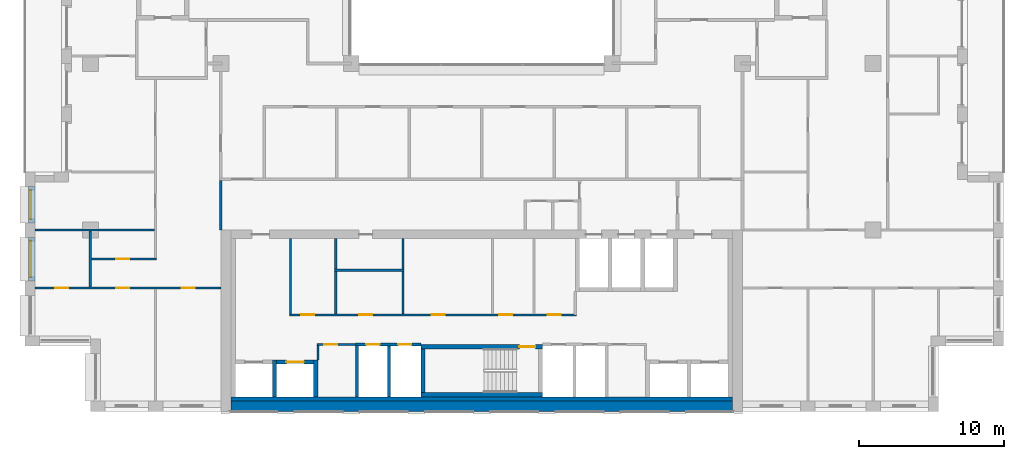
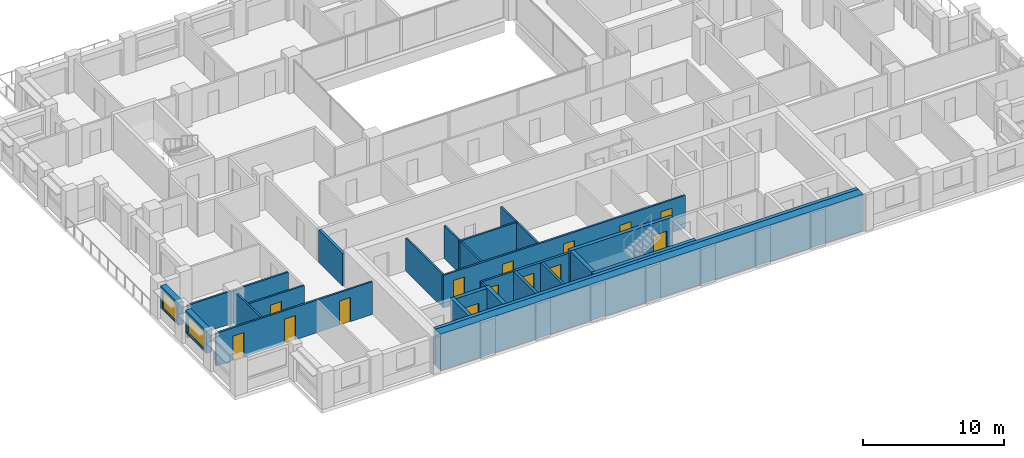
# One storey, part 8 of 16: 27 walls, 14 doors, 2 windows, 16 openings.
"""IFC4 building model written with IfcOpenShell, lengths in metres."""

import ifcopenshell
import ifcopenshell.guid

model = None  # the IFC model being written
_history = None  # IfcOwnerHistory: only IFC2X3 demands one
_inside = {}  # id of a spatial element -> (the spatial element, [elements in it])
_under = {}  # id of a project, library or spatial element -> (it, [spatial elements below it])
_declared = {}  # id of a project -> (the project, [libraries it declares])
_typed = {}  # id of a type object -> (the type object, [elements of that type])
_made_of = {}  # id of a material, layer set ... -> (it, [elements and type objects made of it])


def new_model(schema):
    """Start an empty IFC model of exactly this schema.

    Asked for "IFC4X3", IfcOpenShell would pick the latest addendum, in which some entities
    have other attributes; the version numbers below select the first issue.
    IFC2X3 requires an IfcOwnerHistory on every rooted entity: one is made here for all.
    """
    global model, _history
    if schema == "IFC4X3":
        model = ifcopenshell.file(schema_version=(4, 3, 0, 0))
    else:
        model = ifcopenshell.file(schema=schema)
    _inside.clear()
    _under.clear()
    _declared.clear()
    _typed.clear()
    _made_of.clear()
    _history = None
    if model.schema == "IFC2X3":
        org = make("IfcOrganization", Name="unknown")
        user = make(
            "IfcPersonAndOrganization",
            ThePerson=make("IfcPerson", FamilyName="unknown"),
            TheOrganization=org,
        )
        app = make(
            "IfcApplication",
            ApplicationDeveloper=org,
            Version="unknown",
            ApplicationFullName="unknown",
            ApplicationIdentifier="unknown",
        )
        _history = make(
            "IfcOwnerHistory",
            OwningUser=user,
            OwningApplication=app,
            ChangeAction="ADDED",
            CreationDate=0,
        )
    return model


def make(cls, **values):
    """One entity of the class cls with the attributes given. An attribute that is None is left unset."""
    return model.create_entity(
        cls, **{name: value for name, value in values.items() if value is not None}
    )


def rooted(cls, **values):
    """An entity with a GlobalId (a new one), such as an element, a storey or a relation."""
    return make(cls, GlobalId=ifcopenshell.guid.new(), OwnerHistory=_history, **values)


def si_unit(unit_type, name, prefix=None):
    """IfcSIUnit, for example si_unit("LENGTHUNIT", "METRE", prefix="MILLI")."""
    return make("IfcSIUnit", UnitType=unit_type, Prefix=prefix, Name=name)


def assignment(units):
    """IfcUnitAssignment: the units of a project."""
    return None if units is None else make("IfcUnitAssignment", Units=units)


def point(xyz):
    """IfcCartesianPoint."""
    return None if xyz is None else make("IfcCartesianPoint", Coordinates=xyz)


def direction(xyz):
    """IfcDirection."""
    return None if xyz is None else make("IfcDirection", DirectionRatios=xyz)


def frame(location, z_axis=None, x_axis=None):
    """IfcAxis2Placement3D, a coordinate frame: its origin and axes. An axis left out is left unset."""
    return make(
        "IfcAxis2Placement3D",
        Location=point(location),
        Axis=direction(z_axis),
        RefDirection=direction(x_axis),
    )


def frame_2d(location, x_axis=None):
    """IfcAxis2Placement2D, a coordinate frame in the plane: its origin and x axis."""
    return make(
        "IfcAxis2Placement2D", Location=point(location), RefDirection=direction(x_axis)
    )


def origin():
    """The frame at (0, 0, 0) with its axes left unset."""
    return frame((0.0, 0.0, 0.0))


def place(relative_to, where):
    """IfcLocalPlacement: puts the frame where relative to a parent placement (None: the world)."""
    return make(
        "IfcLocalPlacement", PlacementRelTo=relative_to, RelativePlacement=where
    )


def context(
    kind, dimensions, precision=None, world=None, true_north=None, identifier=None
):
    """IfcGeometricRepresentationContext, for example the 3D "Model" context."""
    return make(
        "IfcGeometricRepresentationContext",
        ContextIdentifier=identifier,
        ContextType=kind,
        CoordinateSpaceDimension=dimensions,
        Precision=precision,
        WorldCoordinateSystem=world,
        TrueNorth=true_north,
    )


def subcontext(parent, identifier, kind, view, scale=None):
    """IfcGeometricRepresentationSubContext, for example "Body" below "Model"."""
    return make(
        "IfcGeometricRepresentationSubContext",
        ContextIdentifier=identifier,
        ContextType=kind,
        ParentContext=parent,
        TargetScale=scale,
        TargetView=view,
    )


def project(units=None, contexts=None):
    """IfcProject with its units and contexts."""
    return rooted(
        "IfcProject",
        Name="project",
        RepresentationContexts=contexts,
        UnitsInContext=assignment(units),
    )


def spatial(cls, under=None, at=None, **own):
    """A site, building, storey or space (cls), placed at a placement, below another one or the project."""
    s = rooted(cls, ObjectPlacement=at, **own)
    if under is not None:
        _under.setdefault(under.id(), (under, []))[1].append(s)
    return s


def profile(cls, at=None, kind="AREA", **sizes):
    """A parametric profile (cls). Its sizes go by their IFC names, for example OverallWidth=200.0."""
    return make(cls, ProfileType=kind, Position=at, **sizes)


def rectangle(**sizes):
    """IfcRectangleProfileDef."""
    return profile("IfcRectangleProfileDef", **sizes)


def extrude(swept, where, along, depth):
    """IfcExtrudedAreaSolid: the profile swept, set in the frame where, extruded along a direction by depth."""
    return make(
        "IfcExtrudedAreaSolid",
        SweptArea=swept,
        Position=where,
        ExtrudedDirection=direction(along),
        Depth=depth,
    )


def shape(context_of_items, identifier, shape_type, items):
    """IfcShapeRepresentation: the items that make up one representation, for example the "Body"."""
    return make(
        "IfcShapeRepresentation",
        ContextOfItems=context_of_items,
        RepresentationIdentifier=identifier,
        RepresentationType=shape_type,
        Items=items,
    )


def material(Name=None, Category=None):
    """IfcMaterial."""
    return make("IfcMaterial", Name=Name, Category=Category)


def layer(
    of_material, thickness, ventilated=None, Name=None, Category=None, Priority=None
):
    """IfcMaterialLayer: one layer of a wall or slab, of a material (None: an air gap)."""
    return make(
        "IfcMaterialLayer",
        Material=of_material,
        LayerThickness=thickness,
        IsVentilated=ventilated,
        Name=Name,
        Category=Category,
        Priority=Priority,
    )


def layer_set(layers, Name=None):
    """IfcMaterialLayerSet."""
    return make("IfcMaterialLayerSet", MaterialLayers=layers, LayerSetName=Name)


def made_of(thing, what):
    """Note that an element or type object is made of a material, layer set ...; save() writes the relation."""
    if what is not None:
        _made_of.setdefault(what.id(), (what, []))[1].append(thing)
    return thing


def type_object(cls, material=None, **own):
    """A type object (cls), such as IfcWallType, which elements share."""
    return made_of(rooted(cls, **own), material)


def element(
    cls,
    number,
    at=None,
    inside=None,
    cuts=None,
    type_object=None,
    material=None,
    context=None,
    identifier="Body",
    shape_type=None,
    held_by="IfcProductDefinitionShape",
    body=None,
    shapes=None,
    **own,
):
    """One element of the class cls, such as IfcWall. Its Tag is "e" and its number.

    at: its placement. inside: the storey or other place that contains it. cuts: it is an
    opening in that element (IfcRelVoidsElement). A single representation is given by context,
    identifier, shape_type and body (its items); several are given by shapes. held_by: the class
    of the entity that holds the representations. save() writes the other relations.
    """
    e = rooted(cls, Tag="e%d" % number, ObjectPlacement=at, **own)
    if body is not None:
        shapes = [shape(context, identifier, shape_type, body)]
    if shapes is not None:
        e.Representation = make(held_by, Representations=shapes)
    if inside is not None:
        _inside.setdefault(inside.id(), (inside, []))[1].append(e)
    if cuts is not None:
        rooted(
            "IfcRelVoidsElement", RelatingBuildingElement=cuts, RelatedOpeningElement=e
        )
    if type_object is not None:
        _typed.setdefault(type_object.id(), (type_object, []))[1].append(e)
    return made_of(e, material)


def fill(opening, filler):
    """IfcRelFillsElement: the door or window that sits in an opening."""
    return rooted(
        "IfcRelFillsElement",
        RelatingOpeningElement=opening,
        RelatedBuildingElement=filler,
    )


def aggregate(whole, parts):
    """IfcRelAggregates: a whole, such as a stair, and the parts it consists of."""
    return rooted("IfcRelAggregates", RelatingObject=whole, RelatedObjects=parts)


def save(model, path):
    """Write the relations noted so far, then the file.

    IfcRelAggregates (storeys below a building ...), IfcRelContainedInSpatialStructure (elements
    in a storey), IfcRelDefinesByType, IfcRelAssociatesMaterial and IfcRelDeclares: one each for
    every whole, place, type object, material and project.
    """
    for whole, parts in _under.values():
        aggregate(whole, parts)
    for where, things in _inside.values():
        rooted(
            "IfcRelContainedInSpatialStructure",
            RelatedElements=things,
            RelatingStructure=where,
        )
    for kind, things in _typed.values():
        rooted("IfcRelDefinesByType", RelatedObjects=things, RelatingType=kind)
    for what, things in _made_of.values():
        rooted("IfcRelAssociatesMaterial", RelatedObjects=things, RelatingMaterial=what)
    for by, libraries in _declared.values():
        rooted("IfcRelDeclares", RelatingContext=by, RelatedDefinitions=libraries)
    model.write(path)


model = new_model("IFC4")

# Units and contexts
model_context = context("Model", 3, precision=1e-05, world=origin(), true_north=direction((0.0, 1.0)))
body_context = subcontext(model_context, "Body", "Model", "MODEL_VIEW")
ifc_project = project(units=[si_unit("LENGTHUNIT", "METRE"), si_unit("AREAUNIT", "SQUARE_METRE"), si_unit("VOLUMEUNIT", "CUBIC_METRE"), si_unit("PLANEANGLEUNIT", "RADIAN"), si_unit("MASSUNIT", "GRAM", prefix="KILO")], contexts=[model_context])

# Site, building, storey
site_placement = place(None, origin())
site = spatial("IfcSite", under=ifc_project, at=site_placement, CompositionType="ELEMENT")
building_placement = place(site_placement, origin())
building = spatial("IfcBuilding", under=site, at=building_placement, Name="Brigalow Station Residences", CompositionType="ELEMENT")
storey_placement = place(building_placement, frame((0.0, 0.0, 169.64990234375)))
storey = spatial("IfcBuildingStorey", under=building, at=storey_placement, Name="L49", CompositionType="ELEMENT", Elevation=169.64990234375)

# Wall, opening, window
ifc_material_1 = material(Name="Clay brick masonry", Category="masonry")
ifc_layer_1 = layer(ifc_material_1, 0.449951171875)
ifc_layer_set_1 = layer_set([ifc_layer_1], Name="BRICK INFILL WALL 450")
wall_type_1 = type_object("IfcWallType", Name="BRICK INFILL WALL 450", PredefinedType="SOLIDWALL", material=ifc_layer_set_1)
wall_1_placement = place(storey_placement, frame((4.97509765625, 15.5, 0.900146484375), z_axis=(0.0, 0.0, 1.0), x_axis=(0.0, -1.0, 0.0)))
wall_1 = element("IfcWall", 1, at=wall_1_placement, inside=storey, type_object=wall_type_1, Name="L49/ewall/W-L49-45", PredefinedType="SOLIDWALL", context=body_context, shape_type="SweptSolid", body=[
    extrude(rectangle(XDim=2.5, YDim=0.449951171875, at=frame_2d((1.25, 0.0))), origin(), (0.0, 0.0, 1.0), 1.929931640625),
])
opening_1_placement = place(wall_1_placement, frame((0.25, 0.0, 0.14990234375)))
opening_1 = element("IfcOpeningElement", 2, at=opening_1_placement, cuts=wall_1, Name="Opening WT-7", PredefinedType="OPENING", context=body_context, shape_type="SweptSolid", body=[
    extrude(rectangle(XDim=2.0, YDim=1.5, at=frame_2d((1.0, 0.75))), frame((0.0, 0.23486328125, 0.0), z_axis=(0.0, -1.0, 0.0), x_axis=(1.0, 0.0, 0.0)), (0.0, 0.0, 1.0), 0.469970703125),
])
ifc_material_2 = material(Name="Anodised aluminium frame with double glazing", Category="aluminium")
window_type_1 = type_object("IfcWindowType", Name="WINDOW 2000x1500", PartitioningType="SINGLE_PANEL", PredefinedType="WINDOW", material=ifc_material_2)
window_1_placement = place(opening_1_placement, origin())
window_1 = element("IfcWindow", 3, at=window_1_placement, inside=storey, type_object=window_type_1, Name="L49/window/W-L49-45", OverallHeight=1.5, OverallWidth=2.0, PartitioningType="SINGLE_PANEL", PredefinedType="WINDOW", context=body_context, shape_type="SweptSolid", body=[
    extrude(rectangle(XDim=2.0, YDim=1.5, at=frame_2d((1.0, 0.75))), frame((0.0, -0.06494140625, 0.0), z_axis=(0.0, -1.0, 0.0), x_axis=(1.0, 0.0, 0.0)), (0.0, 0.0, 1.0), 0.06005859375),
])
fill(opening_1, window_1)

wall_2_placement = place(storey_placement, frame((4.97509765625, 12.0, 0.900146484375), z_axis=(0.0, 0.0, 1.0), x_axis=(0.0, -1.0, 0.0)))
wall_2 = element("IfcWall", 4, at=wall_2_placement, inside=storey, type_object=wall_type_1, Name="L49/ewall/W-L49-46", PredefinedType="SOLIDWALL", context=body_context, shape_type="SweptSolid", body=[
    extrude(rectangle(XDim=3.0, YDim=0.449951171875, at=frame_2d((1.5, 0.0))), origin(), (0.0, 0.0, 1.0), 1.929931640625),
])
opening_2_placement = place(wall_2_placement, frame((0.25, 0.0, 0.14990234375)))
opening_2 = element("IfcOpeningElement", 5, at=opening_2_placement, cuts=wall_2, Name="Opening WT-5", PredefinedType="OPENING", context=body_context, shape_type="SweptSolid", body=[
    extrude(rectangle(XDim=2.5, YDim=1.5, at=frame_2d((1.25, 0.75))), frame((0.0, 0.23486328125, 0.0), z_axis=(0.0, -1.0, 0.0), x_axis=(1.0, 0.0, 0.0)), (0.0, 0.0, 1.0), 0.469970703125),
])
ifc_material_3 = material(Name="Anodised aluminium frame with double glazing", Category="aluminium")
window_type_2 = type_object("IfcWindowType", Name="WINDOW 2500x1500", PartitioningType="SINGLE_PANEL", PredefinedType="WINDOW", material=ifc_material_3)
window_2_placement = place(opening_2_placement, origin())
window_2 = element("IfcWindow", 6, at=window_2_placement, inside=storey, type_object=window_type_2, Name="L49/window/W-L49-46", OverallHeight=1.5, OverallWidth=2.5, PartitioningType="SINGLE_PANEL", PredefinedType="WINDOW", context=body_context, shape_type="SweptSolid", body=[
    extrude(rectangle(XDim=2.5, YDim=1.5, at=frame_2d((1.25, 0.75))), frame((0.0, -0.06494140625, 0.0), z_axis=(0.0, -1.0, 0.0), x_axis=(1.0, 0.0, 0.0)), (0.0, 0.0, 1.0), 0.06005859375),
])
fill(opening_2, window_2)

# Wall
ifc_material_4 = material(Name="Concrete C65", Category="concrete")
ifc_layer_2 = layer(ifc_material_4, 0.300048828125)
ifc_layer_set_2 = layer_set([ifc_layer_2], Name="CORE SHEAR WALL 300 C65")
wall_type_2 = type_object("IfcWallType", Name="CORE SHEAR WALL 300 C65", PredefinedType="SHEAR", material=ifc_layer_set_2)
wall_3_placement = place(storey_placement, frame((18.699951171875, 0.85009765625, 0.0), z_axis=(0.0, 0.0, 1.0), x_axis=(1.0, 0.0, 0.0)))
element("IfcWall", 7, at=wall_3_placement, inside=storey, type_object=wall_type_2, Name="CORE WALL LIN-S L49", PredefinedType="SHEAR", context=body_context, shape_type="SweptSolid", body=[
    extrude(rectangle(XDim=34.60009765625, YDim=0.300048828125, at=frame_2d((17.300048828125, 0.0))), origin(), (0.0, 0.0, 1.0), 3.150146484375),
])

# Wall, opening, door
wall_4_placement = place(storey_placement, frame((21.85009765625, 3.39990234375, 0.0), z_axis=(0.0, 0.0, 1.0), x_axis=(1.0, 0.0, 0.0)))
wall_4 = element("IfcWall", 8, at=wall_4_placement, inside=storey, type_object=wall_type_2, Name="CORE WALL SH-C2-N L49", PredefinedType="SHEAR", context=body_context, shape_type="SweptSolid", body=[
    extrude(rectangle(XDim=2.5498046875, YDim=0.300048828125, at=frame_2d((1.27490234375, 0.0))), origin(), (0.0, 0.0, 1.0), 3.150146484375),
])
opening_3_placement = place(wall_4_placement, frame((0.675048828125, 0.0, 0.0)))
opening_3 = element("IfcOpeningElement", 9, at=opening_3_placement, cuts=wall_4, Name="Opening LD-LB2", PredefinedType="OPENING", context=body_context, shape_type="SweptSolid", body=[
    extrude(rectangle(XDim=1.199951171875, YDim=2.10009765625, at=frame_2d((0.60009765625, 1.050048828125))), frame((0.0, 0.16015625, 0.0), z_axis=(0.0, -1.0, 0.0), x_axis=(1.0, 0.0, 0.0)), (0.0, 0.0, 1.0), 0.320068359375),
])
ifc_material_5 = material(Name="Stainless steel sliding door leaves", Category="steel")
door_type_1 = type_object("IfcDoorType", Name="LIFT LANDING DOOR 1200 x 2100", OperationType="DOUBLE_DOOR_SLIDING", PredefinedType="DOOR", material=ifc_material_5)
door_1_placement = place(opening_3_placement, origin())
door_1 = element("IfcDoor", 10, at=door_1_placement, inside=storey, type_object=door_type_1, Name="LANDING DOOR LB2", OperationType="DOUBLE_DOOR_SLIDING", OverallHeight=2.10009765625, OverallWidth=1.199951171875, PredefinedType="DOOR", context=body_context, shape_type="SweptSolid", body=[
    extrude(rectangle(XDim=1.199951171875, YDim=2.10009765625, at=frame_2d((0.60009765625, 1.050048828125))), frame((0.0, 0.02490234375, 0.0), z_axis=(0.0, -1.0, 0.0), x_axis=(1.0, 0.0, 0.0)), (0.0, 0.0, 1.0), 0.050048828125),
])
fill(opening_3, door_1)

# Walls
for number, where, z_axis, x_axis, name in (
    (11, (21.699951171875, 1.0, 0.0), (0.0, 0.0, 1.0), (0.0, 1.0, 0.0), "CORE WALL SH-C2-W L49"),
    (12, (24.550048828125, 1.0, 0.0), (0.0, 0.0, 1.0), (0.0, 1.0, 0.0), "CORE WALL SH-C2-E L49"),
):
    element("IfcWall", number, at=place(storey_placement, frame(where, z_axis=z_axis, x_axis=x_axis)), inside=storey, type_object=wall_type_2, Name=name, PredefinedType="SHEAR", context=body_context, shape_type="SweptSolid", body=[
        extrude(rectangle(XDim=2.550048828125, YDim=0.300048828125, at=frame_2d((1.27490234375, 0.0))), origin(), (0.0, 0.0, 1.0), 3.150146484375),
    ])
wall_5_placement = place(storey_placement, frame((31.800048828125, 1.14990234375, 0.0), z_axis=(0.0, 0.0, 1.0), x_axis=(1.0, 0.0, 0.0)))
element("IfcWall", 13, at=wall_5_placement, inside=storey, type_object=wall_type_2, Name="CORE WALL ST-S2-S L49", PredefinedType="SHEAR", context=body_context, shape_type="SweptSolid", body=[
    extrude(rectangle(XDim=8.39990234375, YDim=0.300048828125, at=frame_2d((4.199951171875, 0.0))), origin(), (0.0, 0.0, 1.0), 3.150146484375),
])

# Wall, opening, door
wall_6_placement = place(storey_placement, frame((31.800048828125, 4.449951171875, 0.0), z_axis=(0.0, 0.0, 1.0), x_axis=(1.0, 0.0, 0.0)))
wall_6 = element("IfcWall", 14, at=wall_6_placement, inside=storey, type_object=wall_type_2, Name="CORE WALL ST-S2-N L49", PredefinedType="SHEAR", context=body_context, shape_type="SweptSolid", body=[
    extrude(rectangle(XDim=8.39990234375, YDim=0.300048828125, at=frame_2d((4.199951171875, 0.0))), origin(), (0.0, 0.0, 1.0), 3.150146484375),
])
opening_4_placement = place(wall_6_placement, frame((6.800048828125, 0.0, 0.0)))
opening_4 = element("IfcOpeningElement", 15, at=opening_4_placement, cuts=wall_6, Name="Opening D-5001", PredefinedType="OPENING", context=body_context, shape_type="SweptSolid", body=[
    extrude(rectangle(XDim=1.10009765625, YDim=2.10009765625, at=frame_2d((0.550048828125, 1.050048828125))), frame((0.0, 0.16015625, 0.0), z_axis=(0.0, -1.0, 0.0), x_axis=(1.0, 0.0, 0.0)), (0.0, 0.0, 1.0), 0.320068359375),
])
ifc_material_6 = material(Name="Steel fire door leaf in steel frame", Category="steel")
door_type_2 = type_object("IfcDoorType", Name="STAIR DOOR 1100 x 2100 FD60S", OperationType="SINGLE_SWING_LEFT", PredefinedType="DOOR", material=ifc_material_6)
door_2_placement = place(opening_4_placement, frame((1.10009765625, 0.0, 0.0), z_axis=(0.0, 0.0, 1.0), x_axis=(-1.0, 0.0, 0.0)))
door_2 = element("IfcDoor", 16, at=door_2_placement, inside=storey, type_object=door_type_2, Name="D-5001", OperationType="SINGLE_SWING_LEFT", OverallHeight=2.10009765625, OverallWidth=1.10009765625, PredefinedType="DOOR", context=body_context, shape_type="SweptSolid", body=[
    extrude(rectangle(XDim=1.10009765625, YDim=2.10009765625, at=frame_2d((0.550048828125, 1.050048828125))), frame((0.0, 0.02490234375, 0.0), z_axis=(0.0, -1.0, 0.0), x_axis=(1.0, 0.0, 0.0)), (0.0, 0.0, 1.0), 0.050048828125),
])
fill(opening_4, door_2)

# Walls
wall_7_placement = place(storey_placement, frame((31.949951171875, 1.300048828125, 0.0), z_axis=(0.0, 0.0, 1.0), x_axis=(0.0, 1.0, 0.0)))
element("IfcWall", 17, at=wall_7_placement, inside=storey, type_object=wall_type_2, Name="CORE WALL ST-S2-W L49", PredefinedType="SHEAR", context=body_context, shape_type="SweptSolid", body=[
    extrude(rectangle(XDim=3.0, YDim=0.300048828125, at=frame_2d((1.5, 0.0))), origin(), (0.0, 0.0, 1.0), 3.150146484375),
])
ifc_material_7 = material(Name="Concrete C65", Category="concrete")
ifc_layer_3 = layer(ifc_material_7, 0.699951171875)
ifc_layer_set_3 = layer_set([ifc_layer_3], Name="CORE SHEAR WALL 700 C65")
wall_type_3 = type_object("IfcWallType", Name="CORE SHEAR WALL 700 C65", PredefinedType="SHEAR", material=ifc_layer_set_3)
wall_8_placement = place(storey_placement, frame((18.699951171875, 0.35009765625, 0.0), z_axis=(0.0, 0.0, 1.0), x_axis=(1.0, 0.0, 0.0)))
element("IfcWall", 18, at=wall_8_placement, inside=storey, type_object=wall_type_3, Name="CORE WALL OUT-S L49", PredefinedType="SHEAR", context=body_context, shape_type="SweptSolid", body=[
    extrude(rectangle(XDim=34.60009765625, YDim=0.699951171875, at=frame_2d((17.300048828125, 0.0))), origin(), (0.0, 0.0, 1.0), 3.150146484375),
])

# Wall, openings, doors
ifc_material_8 = material(Name="Concrete blockwork", Category="masonry")
ifc_layer_4 = layer(ifc_material_8, 0.199951171875)
ifc_layer_set_4 = layer_set([ifc_layer_4], Name="FIRE RATED CORE PARTITION 200")
wall_type_4 = type_object("IfcWallType", Name="FIRE RATED CORE PARTITION 200", PredefinedType="PARTITIONING", material=ifc_layer_set_4)
wall_9_placement = place(storey_placement, frame((27.300048828125, 4.60009765625, 0.0), z_axis=(0.0, 0.0, 1.0), x_axis=(1.0, 0.0, 0.0)))
wall_9 = element("IfcWall", 19, at=wall_9_placement, inside=storey, type_object=wall_type_4, Name="PW-5017", PredefinedType="PARTITIONING", context=body_context, shape_type="SweptSolid", body=[
    extrude(rectangle(XDim=4.5, YDim=0.199951171875, at=frame_2d((2.25, 0.0))), origin(), (0.0, 0.0, 1.0), 2.830078125),
])
opening_5_placement = place(wall_9_placement, frame((0.75, 0.0, 0.0)))
opening_5 = element("IfcOpeningElement", 20, at=opening_5_placement, cuts=wall_9, Name="Opening D-5007", PredefinedType="OPENING", context=body_context, shape_type="SweptSolid", body=[
    extrude(rectangle(XDim=0.89990234375, YDim=2.10009765625, at=frame_2d((0.449951171875, 1.050048828125))), frame((0.0, 0.10986328125, 0.0), z_axis=(0.0, -1.0, 0.0), x_axis=(1.0, 0.0, 0.0)), (0.0, 0.0, 1.0), 0.219970703125),
])
opening_6_placement = place(wall_9_placement, frame((2.949951171875, 0.0, 0.0)))
opening_6 = element("IfcOpeningElement", 21, at=opening_6_placement, cuts=wall_9, Name="Opening D-5008", PredefinedType="OPENING", context=body_context, shape_type="SweptSolid", body=[
    extrude(rectangle(XDim=0.89990234375, YDim=2.10009765625, at=frame_2d((0.449951171875, 1.050048828125))), frame((0.0, 0.10986328125, 0.0), z_axis=(0.0, -1.0, 0.0), x_axis=(1.0, 0.0, 0.0)), (0.0, 0.0, 1.0), 0.219970703125),
])
ifc_material_9 = material(Name="Steel fire door leaf in steel frame", Category="steel")
door_type_3 = type_object("IfcDoorType", Name="RISER ACCESS DOOR 900 x 2100 FD120", OperationType="SINGLE_SWING_LEFT", PredefinedType="DOOR", material=ifc_material_9)
door_3_placement = place(opening_5_placement, frame((0.89990234375, 0.0, 0.0), z_axis=(0.0, 0.0, 1.0), x_axis=(-1.0, 0.0, 0.0)))
door_3 = element("IfcDoor", 22, at=door_3_placement, inside=storey, type_object=door_type_3, Name="D-5007", OperationType="SINGLE_SWING_RIGHT", OverallHeight=2.10009765625, OverallWidth=0.89990234375, PredefinedType="DOOR", context=body_context, shape_type="SweptSolid", body=[
    extrude(rectangle(XDim=0.89990234375, YDim=2.10009765625, at=frame_2d((0.449951171875, 1.050048828125))), frame((0.0, 0.02490234375, 0.0), z_axis=(0.0, -1.0, 0.0), x_axis=(1.0, 0.0, 0.0)), (0.0, 0.0, 1.0), 0.050048828125),
])
fill(opening_5, door_3)
door_4_placement = place(opening_6_placement, frame((0.89990234375, 0.0, 0.0), z_axis=(0.0, 0.0, 1.0), x_axis=(-1.0, 0.0, 0.0)))
door_4 = element("IfcDoor", 23, at=door_4_placement, inside=storey, type_object=door_type_3, Name="D-5008", OperationType="SINGLE_SWING_RIGHT", OverallHeight=2.10009765625, OverallWidth=0.89990234375, PredefinedType="DOOR", context=body_context, shape_type="SweptSolid", body=[
    extrude(rectangle(XDim=0.89990234375, YDim=2.10009765625, at=frame_2d((0.449951171875, 1.050048828125))), frame((0.0, 0.02490234375, 0.0), z_axis=(0.0, -1.0, 0.0), x_axis=(1.0, 0.0, 0.0)), (0.0, 0.0, 1.0), 0.050048828125),
])
fill(opening_6, door_4)

# Walls
wall_10_placement = place(storey_placement, frame((27.39990234375, 1.0, 0.0), z_axis=(0.0, 0.0, 1.0), x_axis=(0.0, 1.0, 0.0)))
element("IfcWall", 24, at=wall_10_placement, inside=storey, type_object=wall_type_4, Name="PW-5027", PredefinedType="PARTITIONING", context=body_context, shape_type="SweptSolid", body=[
    extrude(rectangle(XDim=3.52490234375, YDim=0.199951171875, at=frame_2d((1.762451171875, 0.0))), origin(), (0.0, 0.0, 1.0), 2.830078125),
])
wall_11_placement = place(storey_placement, frame((29.60009765625, 1.0, 0.0), z_axis=(0.0, 0.0, 1.0), x_axis=(0.0, 1.0, 0.0)))
element("IfcWall", 25, at=wall_11_placement, inside=storey, type_object=wall_type_4, Name="PW-5006", PredefinedType="PARTITIONING", context=body_context, shape_type="SweptSolid", body=[
    extrude(rectangle(XDim=3.5, YDim=0.199951171875, at=frame_2d((1.75, 0.0))), origin(), (0.0, 0.0, 1.0), 2.830078125),
])
wall_12_placement = place(storey_placement, frame((18.0, 12.5, 0.0), z_axis=(0.0, 0.0, 1.0), x_axis=(0.0, 1.0, 0.0)))
element("IfcWall", 26, at=wall_12_placement, inside=storey, type_object=wall_type_4, Name="PW-5013", PredefinedType="PARTITIONING", context=body_context, shape_type="SweptSolid", body=[
    extrude(rectangle(XDim=3.39990234375, YDim=0.199951171875, at=frame_2d((1.699951171875, 0.0))), origin(), (0.0, 0.0, 1.0), 2.830078125),
])

# Wall, openings, doors
ifc_material_10 = material(Name="Plasterboard on steel stud partition", Category="steel")
ifc_layer_5 = layer(ifc_material_10, 0.14990234375)
ifc_layer_set_5 = layer_set([ifc_layer_5], Name="FLAT PARTITION 150")
wall_type_5 = type_object("IfcWallType", Name="FLAT PARTITION 150", PredefinedType="PARTITIONING", material=ifc_layer_set_5)
wall_13_placement = place(storey_placement, frame((5.199951171875, 8.5, 0.0), z_axis=(0.0, 0.0, 1.0), x_axis=(1.0, 0.0, 0.0)))
wall_13 = element("IfcWall", 27, at=wall_13_placement, inside=storey, type_object=wall_type_5, Name="PW-3D08", PredefinedType="PARTITIONING", context=body_context, shape_type="SweptSolid", body=[
    extrude(rectangle(XDim=12.800048828125, YDim=0.14990234375, at=frame_2d((6.39990234375, 0.0))), origin(), (0.0, 0.0, 1.0), 2.830078125),
])
opening_7_placement = place(wall_13_placement, frame((10.10009765625, 0.0, 0.0)))
opening_7 = element("IfcOpeningElement", 28, at=opening_7_placement, cuts=wall_13, Name="Opening D-3D04", PredefinedType="OPENING", context=body_context, shape_type="SweptSolid", body=[
    extrude(rectangle(XDim=0.89990234375, YDim=2.10009765625, at=frame_2d((0.449951171875, 1.050048828125))), frame((0.0, 0.0849609375, 0.0), z_axis=(0.0, -1.0, 0.0), x_axis=(1.0, 0.0, 0.0)), (0.0, 0.0, 1.0), 0.169921875),
])
opening_8_placement = place(wall_13_placement, frame((5.60009765625, 0.0, 0.0)))
opening_8 = element("IfcOpeningElement", 29, at=opening_8_placement, cuts=wall_13, Name="Opening D-3D05", PredefinedType="OPENING", context=body_context, shape_type="SweptSolid", body=[
    extrude(rectangle(XDim=0.89990234375, YDim=2.10009765625, at=frame_2d((0.449951171875, 1.050048828125))), frame((0.0, 0.0849609375, 0.0), z_axis=(0.0, -1.0, 0.0), x_axis=(1.0, 0.0, 0.0)), (0.0, 0.0, 1.0), 0.169921875),
])
opening_9_placement = place(wall_13_placement, frame((1.375, 0.0, 0.0)))
opening_9 = element("IfcOpeningElement", 30, at=opening_9_placement, cuts=wall_13, Name="Opening D-3D06", PredefinedType="OPENING", context=body_context, shape_type="SweptSolid", body=[
    extrude(rectangle(XDim=0.89990234375, YDim=2.10009765625, at=frame_2d((0.449951171875, 1.050048828125))), frame((0.0, 0.0849609375, 0.0), z_axis=(0.0, -1.0, 0.0), x_axis=(1.0, 0.0, 0.0)), (0.0, 0.0, 1.0), 0.169921875),
])
ifc_material_11 = material(Name="Solid-core timber door leaf", Category="wood")
door_type_4 = type_object("IfcDoorType", Name="INTERNAL DOOR 900 x 2100", OperationType="SINGLE_SWING_LEFT", PredefinedType="DOOR", material=ifc_material_11)
door_5_placement = place(opening_7_placement, frame((0.89990234375, 0.0, 0.0), z_axis=(0.0, 0.0, 1.0), x_axis=(-1.0, 0.0, 0.0)))
door_5 = element("IfcDoor", 31, at=door_5_placement, inside=storey, type_object=door_type_4, Name="D-3D04", OperationType="SINGLE_SWING_RIGHT", OverallHeight=2.10009765625, OverallWidth=0.89990234375, PredefinedType="DOOR", context=body_context, shape_type="SweptSolid", body=[
    extrude(rectangle(XDim=0.89990234375, YDim=2.10009765625, at=frame_2d((0.449951171875, 1.050048828125))), frame((0.0, 0.02490234375, 0.0), z_axis=(0.0, -1.0, 0.0), x_axis=(1.0, 0.0, 0.0)), (0.0, 0.0, 1.0), 0.050048828125),
])
fill(opening_7, door_5)
door_6_placement = place(opening_8_placement, frame((0.89990234375, 0.0, 0.0), z_axis=(0.0, 0.0, 1.0), x_axis=(-1.0, 0.0, 0.0)))
door_6 = element("IfcDoor", 32, at=door_6_placement, inside=storey, type_object=door_type_4, Name="D-3D05", OperationType="SINGLE_SWING_LEFT", OverallHeight=2.10009765625, OverallWidth=0.89990234375, PredefinedType="DOOR", context=body_context, shape_type="SweptSolid", body=[
    extrude(rectangle(XDim=0.89990234375, YDim=2.10009765625, at=frame_2d((0.449951171875, 1.050048828125))), frame((0.0, 0.02490234375, 0.0), z_axis=(0.0, -1.0, 0.0), x_axis=(1.0, 0.0, 0.0)), (0.0, 0.0, 1.0), 0.050048828125),
])
fill(opening_8, door_6)
door_7_placement = place(opening_9_placement, origin())
door_7 = element("IfcDoor", 33, at=door_7_placement, inside=storey, type_object=door_type_4, Name="D-3D06", OperationType="SINGLE_SWING_LEFT", OverallHeight=2.10009765625, OverallWidth=0.89990234375, PredefinedType="DOOR", context=body_context, shape_type="SweptSolid", body=[
    extrude(rectangle(XDim=0.89990234375, YDim=2.10009765625, at=frame_2d((0.449951171875, 1.050048828125))), frame((0.0, 0.02490234375, 0.0), z_axis=(0.0, -1.0, 0.0), x_axis=(1.0, 0.0, 0.0)), (0.0, 0.0, 1.0), 0.050048828125),
])
fill(opening_9, door_7)

# Wall
wall_14_placement = place(storey_placement, frame((5.199951171875, 12.5, 0.0), z_axis=(0.0, 0.0, 1.0), x_axis=(1.0, 0.0, 0.0)))
element("IfcWall", 34, at=wall_14_placement, inside=storey, type_object=wall_type_5, Name="PW-3D10", PredefinedType="PARTITIONING", context=body_context, shape_type="SweptSolid", body=[
    extrude(rectangle(XDim=8.22509765625, YDim=0.14990234375, at=frame_2d((4.112548828125, 0.0))), origin(), (0.0, 0.0, 1.0), 2.830078125),
])

# Wall, opening, door
wall_15_placement = place(storey_placement, frame((9.074951171875, 10.5, 0.0), z_axis=(0.0, 0.0, 1.0), x_axis=(1.0, 0.0, 0.0)))
wall_15 = element("IfcWall", 35, at=wall_15_placement, inside=storey, type_object=wall_type_5, Name="PW-3D12", PredefinedType="PARTITIONING", context=body_context, shape_type="SweptSolid", body=[
    extrude(rectangle(XDim=4.5, YDim=0.14990234375, at=frame_2d((2.25, 0.0))), origin(), (0.0, 0.0, 1.0), 2.830078125),
])
opening_10_placement = place(wall_15_placement, frame((1.72509765625, 0.0, 0.0)))
opening_10 = element("IfcOpeningElement", 36, at=opening_10_placement, cuts=wall_15, Name="Opening D-3D07", PredefinedType="OPENING", context=body_context, shape_type="SweptSolid", body=[
    extrude(rectangle(XDim=0.89990234375, YDim=2.10009765625, at=frame_2d((0.449951171875, 1.050048828125))), frame((0.0, 0.0849609375, 0.0), z_axis=(0.0, -1.0, 0.0), x_axis=(1.0, 0.0, 0.0)), (0.0, 0.0, 1.0), 0.169921875),
])
door_8_placement = place(opening_10_placement, origin())
door_8 = element("IfcDoor", 37, at=door_8_placement, inside=storey, type_object=door_type_4, Name="D-3D07", OperationType="SINGLE_SWING_LEFT", OverallHeight=2.10009765625, OverallWidth=0.89990234375, PredefinedType="DOOR", context=body_context, shape_type="SweptSolid", body=[
    extrude(rectangle(XDim=0.89990234375, YDim=2.10009765625, at=frame_2d((0.449951171875, 1.050048828125))), frame((0.0, 0.02490234375, 0.0), z_axis=(0.0, -1.0, 0.0), x_axis=(1.0, 0.0, 0.0)), (0.0, 0.0, 1.0), 0.050048828125),
])
fill(opening_10, door_8)

# Wall
wall_16_placement = place(storey_placement, frame((9.0, 8.574951171875, 0.0), z_axis=(0.0, 0.0, 1.0), x_axis=(0.0, 1.0, 0.0)))
element("IfcWall", 38, at=wall_16_placement, inside=storey, type_object=wall_type_5, Name="PW-3D38", PredefinedType="PARTITIONING", context=body_context, shape_type="SweptSolid", body=[
    extrude(rectangle(XDim=3.85009765625, YDim=0.14990234375, at=frame_2d((1.925048828125, 0.0))), origin(), (0.0, 0.0, 1.0), 2.830078125),
])

# Wall, opening, door
ifc_material_12 = material(Name="Plasterboard on steel studs", Category="steel")
ifc_layer_6 = layer(ifc_material_12, 0.14990234375)
ifc_layer_set_6 = layer_set([ifc_layer_6], Name="SERVICE ROOM PARTITION 150")
wall_type_6 = type_object("IfcWallType", Name="SERVICE ROOM PARTITION 150", PredefinedType="PARTITIONING", material=ifc_layer_set_6)
wall_17_placement = place(storey_placement, frame((24.625, 4.60009765625, 0.0), z_axis=(0.0, 0.0, 1.0), x_axis=(1.0, 0.0, 0.0)))
wall_17 = element("IfcWall", 39, at=wall_17_placement, inside=storey, type_object=wall_type_6, Name="PW-5155", PredefinedType="PARTITIONING", context=body_context, shape_type="SweptSolid", body=[
    extrude(rectangle(XDim=2.675048828125, YDim=0.14990234375, at=frame_2d((1.33740234375, 0.0))), origin(), (0.0, 0.0, 1.0), 2.830078125),
])
opening_11_placement = place(wall_17_placement, frame((0.52490234375, 0.0, 0.0)))
opening_11 = element("IfcOpeningElement", 40, at=opening_11_placement, cuts=wall_17, Name="Opening D-5087", PredefinedType="OPENING", context=body_context, shape_type="SweptSolid", body=[
    extrude(rectangle(XDim=0.89990234375, YDim=2.10009765625, at=frame_2d((0.449951171875, 1.050048828125))), frame((0.0, 0.0849609375, 0.0), z_axis=(0.0, -1.0, 0.0), x_axis=(1.0, 0.0, 0.0)), (0.0, 0.0, 1.0), 0.169921875),
])
ifc_material_13 = material(Name="Steel door leaf in steel frame", Category="steel")
door_type_5 = type_object("IfcDoorType", Name="SERVICE ROOM DOOR 900 x 2100 FD60", OperationType="SINGLE_SWING_LEFT", PredefinedType="DOOR", material=ifc_material_13)
door_9_placement = place(opening_11_placement, frame((0.89990234375, 0.0, 0.0), z_axis=(0.0, 0.0, 1.0), x_axis=(-1.0, 0.0, 0.0)))
door_9 = element("IfcDoor", 41, at=door_9_placement, inside=storey, type_object=door_type_5, Name="D-5087", OperationType="SINGLE_SWING_RIGHT", OverallHeight=2.10009765625, OverallWidth=0.89990234375, PredefinedType="DOOR", context=body_context, shape_type="SweptSolid", body=[
    extrude(rectangle(XDim=0.89990234375, YDim=2.10009765625, at=frame_2d((0.449951171875, 1.050048828125))), frame((0.0, 0.02490234375, 0.0), z_axis=(0.0, -1.0, 0.0), x_axis=(1.0, 0.0, 0.0)), (0.0, 0.0, 1.0), 0.050048828125),
])
fill(opening_11, door_9)

# Wall, openings, doors
wall_18_placement = place(storey_placement, frame((22.72509765625, 6.64990234375, 0.0), z_axis=(0.0, 0.0, 1.0), x_axis=(1.0, 0.0, 0.0)))
wall_18 = element("IfcWall", 42, at=wall_18_placement, inside=storey, type_object=wall_type_6, Name="PW-5195", PredefinedType="PARTITIONING", context=body_context, shape_type="SweptSolid", body=[
    extrude(rectangle(XDim=19.7998046875, YDim=0.14990234375, at=frame_2d((9.89990234375, 0.0))), origin(), (0.0, 0.0, 1.0), 2.830078125),
])
opening_12_placement = place(wall_18_placement, frame((0.824951171875, 0.0, 0.0)))
opening_12 = element("IfcOpeningElement", 43, at=opening_12_placement, cuts=wall_18, Name="Opening D-5110", PredefinedType="OPENING", context=body_context, shape_type="SweptSolid", body=[
    extrude(rectangle(XDim=0.89990234375, YDim=2.10009765625, at=frame_2d((0.449951171875, 1.050048828125))), frame((0.0, 0.0849609375, 0.0), z_axis=(0.0, -1.0, 0.0), x_axis=(1.0, 0.0, 0.0)), (0.0, 0.0, 1.0), 0.169921875),
])
opening_13_placement = place(wall_18_placement, frame((4.824951171875, 0.0, 0.0)))
opening_13 = element("IfcOpeningElement", 44, at=opening_13_placement, cuts=wall_18, Name="Opening D-5116", PredefinedType="OPENING", context=body_context, shape_type="SweptSolid", body=[
    extrude(rectangle(XDim=0.89990234375, YDim=2.10009765625, at=frame_2d((0.449951171875, 1.050048828125))), frame((0.0, 0.0849609375, 0.0), z_axis=(0.0, -1.0, 0.0), x_axis=(1.0, 0.0, 0.0)), (0.0, 0.0, 1.0), 0.169921875),
])
opening_14_placement = place(wall_18_placement, frame((9.824951171875, 0.0, 0.0)))
opening_14 = element("IfcOpeningElement", 45, at=opening_14_placement, cuts=wall_18, Name="Opening D-5117", PredefinedType="OPENING", context=body_context, shape_type="SweptSolid", body=[
    extrude(rectangle(XDim=0.89990234375, YDim=2.10009765625, at=frame_2d((0.449951171875, 1.050048828125))), frame((0.0, 0.0849609375, 0.0), z_axis=(0.0, -1.0, 0.0), x_axis=(1.0, 0.0, 0.0)), (0.0, 0.0, 1.0), 0.169921875),
])
opening_15_placement = place(wall_18_placement, frame((14.47509765625, 0.0, 0.0)))
opening_15 = element("IfcOpeningElement", 46, at=opening_15_placement, cuts=wall_18, Name="Opening D-5114", PredefinedType="OPENING", context=body_context, shape_type="SweptSolid", body=[
    extrude(rectangle(XDim=0.89990234375, YDim=2.10009765625, at=frame_2d((0.449951171875, 1.050048828125))), frame((0.0, 0.0849609375, 0.0), z_axis=(0.0, -1.0, 0.0), x_axis=(1.0, 0.0, 0.0)), (0.0, 0.0, 1.0), 0.169921875),
])
opening_16_placement = place(wall_18_placement, frame((17.824951171875, 0.0, 0.0)))
opening_16 = element("IfcOpeningElement", 47, at=opening_16_placement, cuts=wall_18, Name="Opening D-5115", PredefinedType="OPENING", context=body_context, shape_type="SweptSolid", body=[
    extrude(rectangle(XDim=0.89990234375, YDim=2.10009765625, at=frame_2d((0.449951171875, 1.050048828125))), frame((0.0, 0.0849609375, 0.0), z_axis=(0.0, -1.0, 0.0), x_axis=(1.0, 0.0, 0.0)), (0.0, 0.0, 1.0), 0.169921875),
])
door_10_placement = place(opening_12_placement, origin())
door_10 = element("IfcDoor", 48, at=door_10_placement, inside=storey, type_object=door_type_5, Name="D-5110", OperationType="SINGLE_SWING_LEFT", OverallHeight=2.10009765625, OverallWidth=0.89990234375, PredefinedType="DOOR", context=body_context, shape_type="SweptSolid", body=[
    extrude(rectangle(XDim=0.89990234375, YDim=2.10009765625, at=frame_2d((0.449951171875, 1.050048828125))), frame((0.0, 0.02490234375, 0.0), z_axis=(0.0, -1.0, 0.0), x_axis=(1.0, 0.0, 0.0)), (0.0, 0.0, 1.0), 0.050048828125),
])
fill(opening_12, door_10)
door_11_placement = place(opening_13_placement, origin())
door_11 = element("IfcDoor", 49, at=door_11_placement, inside=storey, type_object=door_type_5, Name="D-5116", OperationType="SINGLE_SWING_LEFT", OverallHeight=2.10009765625, OverallWidth=0.89990234375, PredefinedType="DOOR", context=body_context, shape_type="SweptSolid", body=[
    extrude(rectangle(XDim=0.89990234375, YDim=2.10009765625, at=frame_2d((0.449951171875, 1.050048828125))), frame((0.0, 0.02490234375, 0.0), z_axis=(0.0, -1.0, 0.0), x_axis=(1.0, 0.0, 0.0)), (0.0, 0.0, 1.0), 0.050048828125),
])
fill(opening_13, door_11)
door_12_placement = place(opening_14_placement, origin())
door_12 = element("IfcDoor", 50, at=door_12_placement, inside=storey, type_object=door_type_5, Name="D-5117", OperationType="SINGLE_SWING_LEFT", OverallHeight=2.10009765625, OverallWidth=0.89990234375, PredefinedType="DOOR", context=body_context, shape_type="SweptSolid", body=[
    extrude(rectangle(XDim=0.89990234375, YDim=2.10009765625, at=frame_2d((0.449951171875, 1.050048828125))), frame((0.0, 0.02490234375, 0.0), z_axis=(0.0, -1.0, 0.0), x_axis=(1.0, 0.0, 0.0)), (0.0, 0.0, 1.0), 0.050048828125),
])
fill(opening_14, door_12)
door_13_placement = place(opening_15_placement, origin())
door_13 = element("IfcDoor", 51, at=door_13_placement, inside=storey, type_object=door_type_5, Name="D-5114", OperationType="SINGLE_SWING_LEFT", OverallHeight=2.10009765625, OverallWidth=0.89990234375, PredefinedType="DOOR", context=body_context, shape_type="SweptSolid", body=[
    extrude(rectangle(XDim=0.89990234375, YDim=2.10009765625, at=frame_2d((0.449951171875, 1.050048828125))), frame((0.0, 0.02490234375, 0.0), z_axis=(0.0, -1.0, 0.0), x_axis=(1.0, 0.0, 0.0)), (0.0, 0.0, 1.0), 0.050048828125),
])
fill(opening_15, door_13)
door_14_placement = place(opening_16_placement, origin())
door_14 = element("IfcDoor", 52, at=door_14_placement, inside=storey, type_object=door_type_5, Name="D-5115", OperationType="SINGLE_SWING_LEFT", OverallHeight=2.10009765625, OverallWidth=0.89990234375, PredefinedType="DOOR", context=body_context, shape_type="SweptSolid", body=[
    extrude(rectangle(XDim=0.89990234375, YDim=2.10009765625, at=frame_2d((0.449951171875, 1.050048828125))), frame((0.0, 0.02490234375, 0.0), z_axis=(0.0, -1.0, 0.0), x_axis=(1.0, 0.0, 0.0)), (0.0, 0.0, 1.0), 0.050048828125),
])
fill(opening_16, door_14)

# Walls
wall_19_placement = place(storey_placement, frame((25.85498046875, 9.72998046875, 0.0), z_axis=(0.0, 0.0, 1.0), x_axis=(1.0, 0.0, 0.0)))
element("IfcWall", 53, at=wall_19_placement, inside=storey, type_object=wall_type_6, Name="PW-5224", PredefinedType="PARTITIONING", context=body_context, shape_type="SweptSolid", body=[
    extrude(rectangle(XDim=4.7900390625, YDim=0.14990234375, at=frame_2d((2.39501953125, 0.0))), origin(), (0.0, 0.0, 1.0), 2.830078125),
])
wall_20_placement = place(storey_placement, frame((24.699951171875, 3.550048828125, 0.0), z_axis=(0.0, 0.0, 1.0), x_axis=(0.0, 1.0, 0.0)))
element("IfcWall", 54, at=wall_20_placement, inside=storey, type_object=wall_type_6, Name="PW-5157", PredefinedType="PARTITIONING", context=body_context, shape_type="SweptSolid", body=[
    extrude(rectangle(XDim=0.974853515625, YDim=0.14990234375, at=frame_2d((0.4873046875, 0.0))), origin(), (0.0, 0.0, 1.0), 2.830078125),
])
wall_21_placement = place(storey_placement, frame((22.800048828125, 6.72509765625, 0.0), z_axis=(0.0, 0.0, 1.0), x_axis=(0.0, 1.0, 0.0)))
element("IfcWall", 55, at=wall_21_placement, inside=storey, type_object=wall_type_6, Name="PW-5197", PredefinedType="PARTITIONING", context=body_context, shape_type="SweptSolid", body=[
    extrude(rectangle(XDim=5.1748046875, YDim=0.14990234375, at=frame_2d((2.58740234375, 0.0))), origin(), (0.0, 0.0, 1.0), 2.830078125),
])
for number, where, z_axis, x_axis, name in (
    (56, (25.929931640625, 6.72509765625, 0.0), (0.0, 0.0, 1.0), (0.0, 1.0, 0.0), "PW-5225"),
    (57, (30.570068359375, 6.72509765625, 0.0), (0.0, 0.0, 1.0), (0.0, 1.0, 0.0), "PW-5226"),
):
    element("IfcWall", number, at=place(storey_placement, frame(where, z_axis=z_axis, x_axis=x_axis)), inside=storey, type_object=wall_type_6, Name=name, PredefinedType="PARTITIONING", context=body_context, shape_type="SweptSolid", body=[
        extrude(rectangle(XDim=2.929931640625, YDim=0.14990234375, at=frame_2d((1.46484375, 0.0))), origin(), (0.0, 0.0, 1.0), 2.830078125),
    ])
for number, where, z_axis, x_axis, name in (
    (58, (25.929931640625, 9.804931640625, 0.0), (0.0, 0.0, 1.0), (0.0, 1.0, 0.0), "PW-5228"),
    (59, (30.570068359375, 9.804931640625, 0.0), (0.0, 0.0, 1.0), (0.0, 1.0, 0.0), "PW-5229"),
):
    element("IfcWall", number, at=place(storey_placement, frame(where, z_axis=z_axis, x_axis=x_axis)), inside=storey, type_object=wall_type_6, Name=name, PredefinedType="PARTITIONING", context=body_context, shape_type="SweptSolid", body=[
        extrude(rectangle(XDim=2.094970703125, YDim=0.14990234375, at=frame_2d((1.04736328125, 0.0))), origin(), (0.0, 0.0, 1.0), 2.830078125),
    ])

save(model, "model.ifc")
